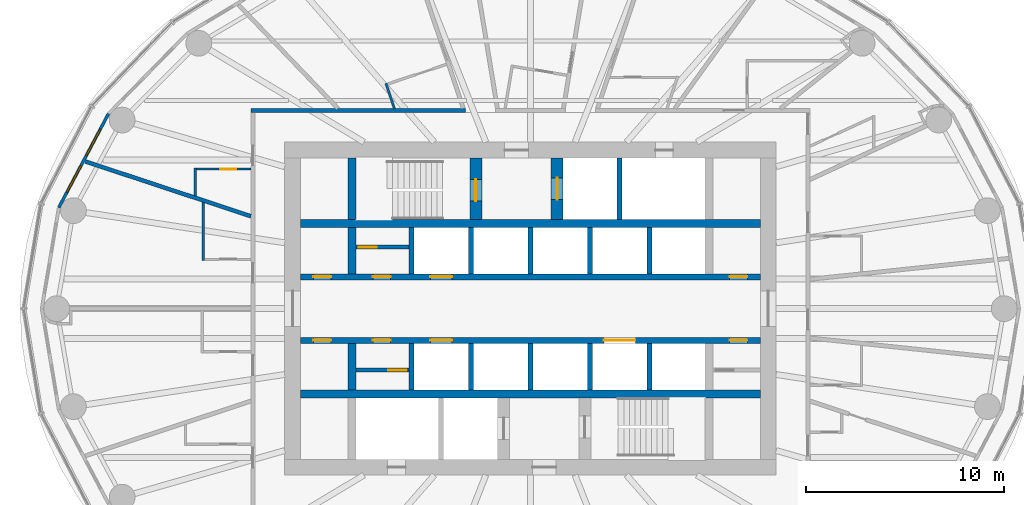
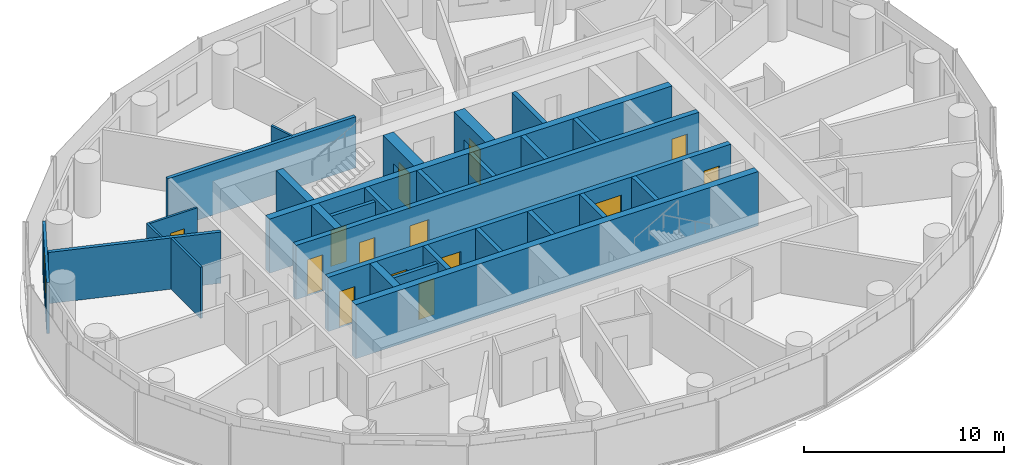
# One storey, part 8 of 13: 29 walls, 14 doors, 2 windows, 16 openings.
"""IFC4 building model written with IfcOpenShell, lengths in metres."""

from ifc_helpers import new_model, si_unit, direction, frame, frame_2d, origin, place, context, subcontext, project, spatial, rectangle, extrude, material, layer, layer_set, type_object, element, fill, save


model = new_model("IFC4")

# Units and contexts
model_context = context("Model", 3, precision=1e-05, world=origin(), true_north=direction((0.0, 1.0)))
body_context = subcontext(model_context, "Body", "Model", "MODEL_VIEW")
ifc_project = project(units=[si_unit("LENGTHUNIT", "METRE"), si_unit("AREAUNIT", "SQUARE_METRE"), si_unit("VOLUMEUNIT", "CUBIC_METRE"), si_unit("PLANEANGLEUNIT", "RADIAN"), si_unit("MASSUNIT", "GRAM", prefix="KILO")], contexts=[model_context])

# Site, building, storey
site_placement = place(None, origin())
site = spatial("IfcSite", under=ifc_project, at=site_placement, CompositionType="ELEMENT")
building_placement = place(site_placement, origin())
building = spatial("IfcBuilding", under=site, at=building_placement, Name="Hankou Lantern Tower", CompositionType="ELEMENT")
storey_placement = place(building_placement, frame((0.0, 0.0, 125.39990234375)))
storey = spatial("IfcBuildingStorey", under=building, at=storey_placement, Name="L32", CompositionType="ELEMENT", Elevation=125.39990234375)

# Walls
ifc_material_1 = material(Name="Concrete C60", Category="concrete")
ifc_layer_1 = layer(ifc_material_1, 0.39990234375)
ifc_layer_set_1 = layer_set([ifc_layer_1], Name="Concrete C60")
wall_type_1 = type_object("IfcWallType", Name="CW4 CORE CROSS WALL 400", PredefinedType="SHEAR", material=ifc_layer_set_1)
for number, where, z_axis, x_axis, name in (
    (1, (-11.60009765625, 4.300048828125, 0.0), (0.0, 0.0, 1.0), (1.0, 0.0, 0.0), "Core band wall north L32"),
    (2, (-11.60009765625, -4.300048828125, 0.0), (0.0, 0.0, 1.0), (1.0, 0.0, 0.0), "Core band wall south L32"),
):
    element("IfcWall", number, at=place(storey_placement, frame(where, z_axis=z_axis, x_axis=x_axis)), inside=storey, type_object=wall_type_1, Name=name, PredefinedType="SHEAR", context=body_context, shape_type="SweptSolid", body=[
        extrude(rectangle(XDim=23.2001953125, YDim=0.39990234375, at=frame_2d((11.60009765625, 0.0))), origin(), (0.0, 0.0, 1.0), 3.300048828125),
    ])
wall_1_placement = place(storey_placement, frame((-9.0, 4.5, 0.0), z_axis=(0.0, 0.0, 1.0), x_axis=(0.0, 1.0, 0.0)))
element("IfcWall", 3, at=wall_1_placement, inside=storey, type_object=wall_type_1, Name="Core strip wall L32", PredefinedType="SHEAR", context=body_context, shape_type="SweptSolid", body=[
    extrude(rectangle(XDim=3.10009765625, YDim=0.39990234375, at=frame_2d((1.550048828125, 0.0))), origin(), (0.0, 0.0, 1.0), 3.300048828125),
])
for number, where, z_axis, x_axis, name in (
    (4, (-9.0, 1.75, 0.0), (0.0, 0.0, 1.0), (0.0, 1.0, 0.0), "Core strip wall L32"),
    (5, (-9.0, -4.10009765625, 0.0), (0.0, 0.0, 1.0), (0.0, 1.0, 0.0), "Core strip wall L32"),
):
    element("IfcWall", number, at=place(storey_placement, frame(where, z_axis=z_axis, x_axis=x_axis)), inside=storey, type_object=wall_type_1, Name=name, PredefinedType="SHEAR", context=body_context, shape_type="SweptSolid", body=[
        extrude(rectangle(XDim=2.35009765625, YDim=0.39990234375, at=frame_2d((1.175048828125, 0.0))), origin(), (0.0, 0.0, 1.0), 3.300048828125),
    ])

# Wall, openings, doors
ifc_material_2 = material(Name="Concrete C60", Category="concrete")
ifc_layer_2 = layer(ifc_material_2, 0.300048828125)
ifc_layer_set_2 = layer_set([ifc_layer_2], Name="Concrete C60")
wall_type_2 = type_object("IfcWallType", Name="CW5 LIFT LOBBY WALL 300", PredefinedType="SHEAR", material=ifc_layer_set_2)
wall_2_placement = place(storey_placement, frame((-11.60009765625, 1.60009765625, 0.0), z_axis=(0.0, 0.0, 1.0), x_axis=(1.0, 0.0, 0.0)))
wall_2 = element("IfcWall", 6, at=wall_2_placement, inside=storey, type_object=wall_type_2, Name="Lift lobby wall north L32", PredefinedType="SHEAR", context=body_context, shape_type="SweptSolid", body=[
    extrude(rectangle(XDim=23.2001953125, YDim=0.300048828125, at=frame_2d((11.60009765625, 0.0))), origin(), (0.0, 0.0, 1.0), 3.300048828125),
])
opening_1_placement = place(wall_2_placement, frame((6.550048828125, 0.0, 0.0)))
opening_1 = element("IfcOpeningElement", 7, at=opening_1_placement, cuts=wall_2, Name="Opening LD1", PredefinedType="OPENING", context=body_context, shape_type="SweptSolid", body=[
    extrude(rectangle(XDim=1.10009765625, YDim=2.199951171875, at=frame_2d((0.550048828125, 1.10009765625))), frame((0.0, 0.159912109375, 0.0), z_axis=(0.0, -1.0, 0.0), x_axis=(1.0, 0.0, 0.0)), (0.0, 0.0, 1.0), 0.320068359375),
])
opening_2_placement = place(wall_2_placement, frame((0.64990234375, 0.0, 0.0)))
opening_2 = element("IfcOpeningElement", 8, at=opening_2_placement, cuts=wall_2, Name="Opening D30", PredefinedType="OPENING", context=body_context, shape_type="SweptSolid", body=[
    extrude(rectangle(XDim=0.89990234375, YDim=2.199951171875, at=frame_2d((0.449951171875, 1.10009765625))), frame((0.0, 0.159912109375, 0.0), z_axis=(0.0, -1.0, 0.0), x_axis=(1.0, 0.0, 0.0)), (0.0, 0.0, 1.0), 0.320068359375),
])
opening_3_placement = place(wall_2_placement, frame((3.64990234375, 0.0, 0.0)))
opening_3 = element("IfcOpeningElement", 9, at=opening_3_placement, cuts=wall_2, Name="Opening D30", PredefinedType="OPENING", context=body_context, shape_type="SweptSolid", body=[
    extrude(rectangle(XDim=0.89990234375, YDim=2.199951171875, at=frame_2d((0.449951171875, 1.10009765625))), frame((0.0, 0.159912109375, 0.0), z_axis=(0.0, -1.0, 0.0), x_axis=(1.0, 0.0, 0.0)), (0.0, 0.0, 1.0), 0.320068359375),
])
opening_4_placement = place(wall_2_placement, frame((21.64990234375, 0.0, 0.0)))
opening_4 = element("IfcOpeningElement", 10, at=opening_4_placement, cuts=wall_2, Name="Opening D30", PredefinedType="OPENING", context=body_context, shape_type="SweptSolid", body=[
    extrude(rectangle(XDim=0.89990234375, YDim=2.199951171875, at=frame_2d((0.449951171875, 1.10009765625))), frame((0.0, 0.159912109375, 0.0), z_axis=(0.0, -1.0, 0.0), x_axis=(1.0, 0.0, 0.0)), (0.0, 0.0, 1.0), 0.320068359375),
])
ifc_material_3 = material(Name="Steel door leaf", Category="steel")
door_type_1 = type_object("IfcDoorType", Name="D30 CORE ROOM DOOR 900X2200", OperationType="SINGLE_SWING_LEFT", PredefinedType="DOOR", material=ifc_material_3)
door_1_placement = place(opening_2_placement, origin())
door_1 = element("IfcDoor", 11, at=door_1_placement, inside=storey, type_object=door_type_1, Name="Engineering store door", OperationType="SINGLE_SWING_LEFT", OverallHeight=2.199951171875, OverallWidth=0.89990234375, PredefinedType="DOOR", context=body_context, shape_type="SweptSolid", body=[
    extrude(rectangle(XDim=0.89990234375, YDim=2.199951171875, at=frame_2d((0.449951171875, 1.10009765625))), frame((0.0, 0.02490234375, 0.0), z_axis=(0.0, -1.0, 0.0), x_axis=(1.0, 0.0, 0.0)), (0.0, 0.0, 1.0), 0.050048828125),
])
fill(opening_2, door_1)
door_2_placement = place(opening_3_placement, origin())
door_2 = element("IfcDoor", 12, at=door_2_placement, inside=storey, type_object=door_type_1, Name="Cleaner's store door", OperationType="SINGLE_SWING_LEFT", OverallHeight=2.199951171875, OverallWidth=0.89990234375, PredefinedType="DOOR", context=body_context, shape_type="SweptSolid", body=[
    extrude(rectangle(XDim=0.89990234375, YDim=2.199951171875, at=frame_2d((0.449951171875, 1.10009765625))), frame((0.0, 0.02490234375, 0.0), z_axis=(0.0, -1.0, 0.0), x_axis=(1.0, 0.0, 0.0)), (0.0, 0.0, 1.0), 0.050048828125),
])
fill(opening_3, door_2)
door_3_placement = place(opening_4_placement, origin())
door_3 = element("IfcDoor", 13, at=door_3_placement, inside=storey, type_object=door_type_1, Name="Housekeeping and linen store door", OperationType="SINGLE_SWING_RIGHT", OverallHeight=2.199951171875, OverallWidth=0.89990234375, PredefinedType="DOOR", context=body_context, shape_type="SweptSolid", body=[
    extrude(rectangle(XDim=0.89990234375, YDim=2.199951171875, at=frame_2d((0.449951171875, 1.10009765625))), frame((0.0, 0.02490234375, 0.0), z_axis=(0.0, -1.0, 0.0), x_axis=(1.0, 0.0, 0.0)), (0.0, 0.0, 1.0), 0.050048828125),
])
fill(opening_4, door_3)
ifc_material_4 = material(Name="Steel door leaf", Category="steel")
door_type_2 = type_object("IfcDoorType", Name="LD1 LIFT LANDING DOOR 1100X2200", OperationType="DOUBLE_DOOR_SLIDING", PredefinedType="DOOR", material=ifc_material_4)
door_4_placement = place(opening_1_placement, origin())
door_4 = element("IfcDoor", 14, at=door_4_placement, inside=storey, type_object=door_type_2, Name="Lift M1 landing door", OperationType="DOUBLE_DOOR_SLIDING", OverallHeight=2.199951171875, OverallWidth=1.10009765625, PredefinedType="DOOR", context=body_context, shape_type="SweptSolid", body=[
    extrude(rectangle(XDim=1.10009765625, YDim=2.199951171875, at=frame_2d((0.550048828125, 1.10009765625))), frame((0.0, 0.02490234375, 0.0), z_axis=(0.0, -1.0, 0.0), x_axis=(1.0, 0.0, 0.0)), (0.0, 0.0, 1.0), 0.050048828125),
])
fill(opening_1, door_4)

wall_3_placement = place(storey_placement, frame((-11.60009765625, -1.60009765625, 0.0), z_axis=(0.0, 0.0, 1.0), x_axis=(1.0, 0.0, 0.0)))
wall_3 = element("IfcWall", 15, at=wall_3_placement, inside=storey, type_object=wall_type_2, Name="Lift lobby wall south L32", PredefinedType="SHEAR", context=body_context, shape_type="SweptSolid", body=[
    extrude(rectangle(XDim=23.2001953125, YDim=0.300048828125, at=frame_2d((11.60009765625, 0.0))), origin(), (0.0, 0.0, 1.0), 3.300048828125),
])
opening_5_placement = place(wall_3_placement, frame((6.550048828125, 0.0, 0.0)))
opening_5 = element("IfcOpeningElement", 16, at=opening_5_placement, cuts=wall_3, Name="Opening LD1", PredefinedType="OPENING", context=body_context, shape_type="SweptSolid", body=[
    extrude(rectangle(XDim=1.10009765625, YDim=2.199951171875, at=frame_2d((0.550048828125, 1.10009765625))), frame((0.0, 0.159912109375, 0.0), z_axis=(0.0, -1.0, 0.0), x_axis=(1.0, 0.0, 0.0)), (0.0, 0.0, 1.0), 0.320068359375),
])
opening_6_placement = place(wall_3_placement, frame((15.300048828125, 0.0, 0.0)))
opening_6 = element("IfcOpeningElement", 17, at=opening_6_placement, cuts=wall_3, Name="Opening LD4", PredefinedType="OPENING", context=body_context, shape_type="SweptSolid", body=[
    extrude(rectangle(XDim=1.60009765625, YDim=2.39990234375, at=frame_2d((0.800048828125, 1.199951171875))), frame((0.0, 0.159912109375, 0.0), z_axis=(0.0, -1.0, 0.0), x_axis=(1.0, 0.0, 0.0)), (0.0, 0.0, 1.0), 0.320068359375),
])
opening_7_placement = place(wall_3_placement, frame((0.64990234375, 0.0, 0.0)))
opening_7 = element("IfcOpeningElement", 18, at=opening_7_placement, cuts=wall_3, Name="Opening D30", PredefinedType="OPENING", context=body_context, shape_type="SweptSolid", body=[
    extrude(rectangle(XDim=0.89990234375, YDim=2.199951171875, at=frame_2d((0.449951171875, 1.10009765625))), frame((0.0, 0.159912109375, 0.0), z_axis=(0.0, -1.0, 0.0), x_axis=(1.0, 0.0, 0.0)), (0.0, 0.0, 1.0), 0.320068359375),
])
opening_8_placement = place(wall_3_placement, frame((3.64990234375, 0.0, 0.0)))
opening_8 = element("IfcOpeningElement", 19, at=opening_8_placement, cuts=wall_3, Name="Opening D30", PredefinedType="OPENING", context=body_context, shape_type="SweptSolid", body=[
    extrude(rectangle(XDim=0.89990234375, YDim=2.199951171875, at=frame_2d((0.449951171875, 1.10009765625))), frame((0.0, 0.159912109375, 0.0), z_axis=(0.0, -1.0, 0.0), x_axis=(1.0, 0.0, 0.0)), (0.0, 0.0, 1.0), 0.320068359375),
])
opening_9_placement = place(wall_3_placement, frame((21.64990234375, 0.0, 0.0)))
opening_9 = element("IfcOpeningElement", 20, at=opening_9_placement, cuts=wall_3, Name="Opening D30", PredefinedType="OPENING", context=body_context, shape_type="SweptSolid", body=[
    extrude(rectangle(XDim=0.89990234375, YDim=2.199951171875, at=frame_2d((0.449951171875, 1.10009765625))), frame((0.0, 0.159912109375, 0.0), z_axis=(0.0, -1.0, 0.0), x_axis=(1.0, 0.0, 0.0)), (0.0, 0.0, 1.0), 0.320068359375),
])
door_5_placement = place(opening_7_placement, origin())
door_5 = element("IfcDoor", 21, at=door_5_placement, inside=storey, type_object=door_type_1, Name="Guest pantry and ice room door", OperationType="SINGLE_SWING_LEFT", OverallHeight=2.199951171875, OverallWidth=0.89990234375, PredefinedType="DOOR", context=body_context, shape_type="SweptSolid", body=[
    extrude(rectangle(XDim=0.89990234375, YDim=2.199951171875, at=frame_2d((0.449951171875, 1.10009765625))), frame((0.0, 0.02490234375, 0.0), z_axis=(0.0, -1.0, 0.0), x_axis=(1.0, 0.0, 0.0)), (0.0, 0.0, 1.0), 0.050048828125),
])
fill(opening_7, door_5)
door_6_placement = place(opening_8_placement, origin())
door_6 = element("IfcDoor", 22, at=door_6_placement, inside=storey, type_object=door_type_1, Name="Vending room door", OperationType="SINGLE_SWING_LEFT", OverallHeight=2.199951171875, OverallWidth=0.89990234375, PredefinedType="DOOR", context=body_context, shape_type="SweptSolid", body=[
    extrude(rectangle(XDim=0.89990234375, YDim=2.199951171875, at=frame_2d((0.449951171875, 1.10009765625))), frame((0.0, 0.02490234375, 0.0), z_axis=(0.0, -1.0, 0.0), x_axis=(1.0, 0.0, 0.0)), (0.0, 0.0, 1.0), 0.050048828125),
])
fill(opening_8, door_6)
door_7_placement = place(opening_9_placement, origin())
door_7 = element("IfcDoor", 23, at=door_7_placement, inside=storey, type_object=door_type_1, Name="Room service pantry door", OperationType="SINGLE_SWING_RIGHT", OverallHeight=2.199951171875, OverallWidth=0.89990234375, PredefinedType="DOOR", context=body_context, shape_type="SweptSolid", body=[
    extrude(rectangle(XDim=0.89990234375, YDim=2.199951171875, at=frame_2d((0.449951171875, 1.10009765625))), frame((0.0, 0.02490234375, 0.0), z_axis=(0.0, -1.0, 0.0), x_axis=(1.0, 0.0, 0.0)), (0.0, 0.0, 1.0), 0.050048828125),
])
fill(opening_9, door_7)
door_8_placement = place(opening_5_placement, origin())
door_8 = element("IfcDoor", 24, at=door_8_placement, inside=storey, type_object=door_type_2, Name="Lift M2 landing door", OperationType="DOUBLE_DOOR_SLIDING", OverallHeight=2.199951171875, OverallWidth=1.10009765625, PredefinedType="DOOR", context=body_context, shape_type="SweptSolid", body=[
    extrude(rectangle(XDim=1.10009765625, YDim=2.199951171875, at=frame_2d((0.550048828125, 1.10009765625))), frame((0.0, 0.02490234375, 0.0), z_axis=(0.0, -1.0, 0.0), x_axis=(1.0, 0.0, 0.0)), (0.0, 0.0, 1.0), 0.050048828125),
])
fill(opening_5, door_8)
ifc_material_5 = material(Name="Steel door leaf", Category="steel")
door_type_3 = type_object("IfcDoorType", Name="LD4 SERVICE LIFT LANDING DOOR 1600X2400", OperationType="DOUBLE_DOOR_SLIDING", PredefinedType="DOOR", material=ifc_material_5)
door_9_placement = place(opening_6_placement, origin())
door_9 = element("IfcDoor", 25, at=door_9_placement, inside=storey, type_object=door_type_3, Name="Lift SV1 landing door", OperationType="DOUBLE_DOOR_SLIDING", OverallHeight=2.39990234375, OverallWidth=1.60009765625, PredefinedType="DOOR", context=body_context, shape_type="SweptSolid", body=[
    extrude(rectangle(XDim=1.60009765625, YDim=2.39990234375, at=frame_2d((0.800048828125, 1.199951171875))), frame((0.0, 0.02490234375, 0.0), z_axis=(0.0, -1.0, 0.0), x_axis=(1.0, 0.0, 0.0)), (0.0, 0.0, 1.0), 0.050048828125),
])
fill(opening_6, door_9)

# Wall, opening, door
ifc_material_6 = material(Name="Concrete C60", Category="concrete")
ifc_layer_3 = layer(ifc_material_6, 0.60009765625)
ifc_layer_set_3 = layer_set([ifc_layer_3], Name="Concrete C60")
wall_type_3 = type_object("IfcWallType", Name="CW6 STAIR AND SHAFT WALL 600", PredefinedType="SHEAR", material=ifc_layer_set_3)
wall_4_placement = place(storey_placement, frame((-2.75, 4.5, 0.0), z_axis=(0.0, 0.0, 1.0), x_axis=(0.0, 1.0, 0.0)))
wall_4 = element("IfcWall", 26, at=wall_4_placement, inside=storey, type_object=wall_type_3, Name="Stair wall L32", PredefinedType="SHEAR", context=body_context, shape_type="SweptSolid", body=[
    extrude(rectangle(XDim=3.10009765625, YDim=0.60009765625, at=frame_2d((1.550048828125, 0.0))), origin(), (0.0, 0.0, 1.0), 3.300048828125),
])
opening_10_placement = place(wall_4_placement, frame((0.925048828125, 0.0, 0.0)))
opening_10 = element("IfcOpeningElement", 27, at=opening_10_placement, cuts=wall_4, Name="Opening D4", PredefinedType="OPENING", context=body_context, shape_type="SweptSolid", body=[
    extrude(rectangle(XDim=1.10009765625, YDim=2.199951171875, at=frame_2d((0.550048828125, 1.10009765625))), frame((0.0, 0.31005859375, 0.0), z_axis=(0.0, -1.0, 0.0), x_axis=(1.0, 0.0, 0.0)), (0.0, 0.0, 1.0), 0.6201171875),
])
ifc_material_7 = material(Name="Steel door leaf", Category="steel")
door_type_4 = type_object("IfcDoorType", Name="D4 STAIR DOOR 1100X2200", OperationType="SINGLE_SWING_LEFT", PredefinedType="DOOR", material=ifc_material_7)
door_10_placement = place(opening_10_placement, origin())
door_10 = element("IfcDoor", 28, at=door_10_placement, inside=storey, type_object=door_type_4, Name="Stair A door", OperationType="SINGLE_SWING_LEFT", OverallHeight=2.199951171875, OverallWidth=1.10009765625, PredefinedType="DOOR", context=body_context, shape_type="SweptSolid", body=[
    extrude(rectangle(XDim=1.10009765625, YDim=2.199951171875, at=frame_2d((0.550048828125, 1.10009765625))), frame((0.0, 0.02490234375, 0.0), z_axis=(0.0, -1.0, 0.0), x_axis=(1.0, 0.0, 0.0)), (0.0, 0.0, 1.0), 0.050048828125),
])
fill(opening_10, door_10)

wall_5_placement = place(storey_placement, frame((1.35009765625, 4.5, 0.0), z_axis=(0.0, 0.0, 1.0), x_axis=(0.0, 1.0, 0.0)))
wall_5 = element("IfcWall", 29, at=wall_5_placement, inside=storey, type_object=wall_type_3, Name="Firefighting lift shaft wall L32", PredefinedType="SHEAR", context=body_context, shape_type="SweptSolid", body=[
    extrude(rectangle(XDim=3.10009765625, YDim=0.60009765625, at=frame_2d((1.550048828125, 0.0))), origin(), (0.0, 0.0, 1.0), 3.300048828125),
])
opening_11_placement = place(wall_5_placement, frame((1.0, 0.0, 0.0)))
opening_11 = element("IfcOpeningElement", 30, at=opening_11_placement, cuts=wall_5, Name="Opening LD2", PredefinedType="OPENING", context=body_context, shape_type="SweptSolid", body=[
    extrude(rectangle(XDim=1.10009765625, YDim=2.199951171875, at=frame_2d((0.550048828125, 1.10009765625))), frame((0.0, 0.31005859375, 0.0), z_axis=(0.0, -1.0, 0.0), x_axis=(1.0, 0.0, 0.0)), (0.0, 0.0, 1.0), 0.6201171875),
])
ifc_material_8 = material(Name="Steel door leaf", Category="steel")
door_type_5 = type_object("IfcDoorType", Name="LD2 FIREFIGHTING LIFT LANDING DOOR 1100X2200", OperationType="DOUBLE_DOOR_SLIDING", PredefinedType="DOOR", material=ifc_material_8)
door_11_placement = place(opening_11_placement, origin())
door_11 = element("IfcDoor", 31, at=door_11_placement, inside=storey, type_object=door_type_5, Name="Firefighting lift FL1 landing door", OperationType="DOUBLE_DOOR_SLIDING", OverallHeight=2.199951171875, OverallWidth=1.10009765625, PredefinedType="DOOR", context=body_context, shape_type="SweptSolid", body=[
    extrude(rectangle(XDim=1.10009765625, YDim=2.199951171875, at=frame_2d((0.550048828125, 1.10009765625))), frame((0.0, 0.02490234375, 0.0), z_axis=(0.0, -1.0, 0.0), x_axis=(1.0, 0.0, 0.0)), (0.0, 0.0, 1.0), 0.050048828125),
])
fill(opening_11, door_11)

# Wall, openings, windows
ifc_material_9 = material(Name="Aluminium spandrel panel on steel studs", Category="steel")
ifc_layer_4 = layer(ifc_material_9, 0.14990234375)
ifc_layer_set_4 = layer_set([ifc_layer_4], Name="Aluminium spandrel panel on steel studs")
wall_type_4 = type_object("IfcWallType", Name="EW1 INNER SKIN WALL 150", PredefinedType="ELEMENTEDWALL", material=ifc_layer_set_4)
wall_6_placement = place(storey_placement, frame((-21.287353515625, 9.83203125, 0.0), z_axis=(0.0, 0.0, 1.0), x_axis=(-0.467814388454, -0.883826735257, 0.0)))
wall_6 = element("IfcWall", 32, at=wall_6_placement, inside=storey, type_object=wall_type_4, Name="Inner skin R11-R12 L32", PredefinedType="ELEMENTEDWALL", context=body_context, shape_type="SweptSolid", body=[
    extrude(rectangle(XDim=5.35400390625, YDim=0.14990234375, at=frame_2d((2.677001953125, 0.0))), origin(), (0.0, 0.0, 1.0), 3.1201171875),
])
opening_12_placement = place(wall_6_placement, frame((0.876953125, 0.0, 0.89990234375)))
opening_12 = element("IfcOpeningElement", 33, at=opening_12_placement, cuts=wall_6, Name="Opening W2", PredefinedType="OPENING", context=body_context, shape_type="SweptSolid", body=[
    extrude(rectangle(XDim=1.5, YDim=1.89990234375, at=frame_2d((0.75, 0.949951171875))), frame((0.0, 0.0849609375, 0.0), z_axis=(0.0, -1.0, 0.0), x_axis=(1.0, 0.0, 0.0)), (0.0, 0.0, 1.0), 0.169921875),
])
opening_13_placement = place(wall_6_placement, frame((2.97705078125, 0.0, 0.89990234375)))
opening_13 = element("IfcOpeningElement", 34, at=opening_13_placement, cuts=wall_6, Name="Opening W2", PredefinedType="OPENING", context=body_context, shape_type="SweptSolid", body=[
    extrude(rectangle(XDim=1.5, YDim=1.89990234375, at=frame_2d((0.75, 0.949951171875))), frame((0.0, 0.0849609375, 0.0), z_axis=(0.0, -1.0, 0.0), x_axis=(1.0, 0.0, 0.0)), (0.0, 0.0, 1.0), 0.169921875),
])
ifc_material_10 = material(Name="Aluminium framed double glazed window", Category="aluminium")
window_type = type_object("IfcWindowType", Name="W2 GUEST ROOM WINDOW 1500X1900", PartitioningType="DOUBLE_PANEL_VERTICAL", PredefinedType="WINDOW", material=ifc_material_10)
window_1_placement = place(opening_12_placement, origin())
window_1 = element("IfcWindow", 35, at=window_1_placement, inside=storey, type_object=window_type, Name="Window R11.1 L32", OverallHeight=1.89990234375, OverallWidth=1.5, PartitioningType="SINGLE_PANEL", PredefinedType="WINDOW", context=body_context, shape_type="SweptSolid", body=[
    extrude(rectangle(XDim=1.5, YDim=1.89990234375, at=frame_2d((0.75, 0.949951171875))), frame((0.0, 0.030029296875, 0.0), z_axis=(0.0, -1.0, 0.0), x_axis=(1.0, 0.0, 0.0)), (0.0, 0.0, 1.0), 0.06005859375),
])
fill(opening_12, window_1)
window_2_placement = place(opening_13_placement, origin())
window_2 = element("IfcWindow", 36, at=window_2_placement, inside=storey, type_object=window_type, Name="Window R11.2 L32", OverallHeight=1.89990234375, OverallWidth=1.5, PartitioningType="SINGLE_PANEL", PredefinedType="WINDOW", context=body_context, shape_type="SweptSolid", body=[
    extrude(rectangle(XDim=1.5, YDim=1.89990234375, at=frame_2d((0.75, 0.949951171875))), frame((0.0, 0.030029296875, 0.0), z_axis=(0.0, -1.0, 0.0), x_axis=(1.0, 0.0, 0.0)), (0.0, 0.0, 1.0), 0.06005859375),
])
fill(opening_13, window_2)

# Walls
ifc_material_11 = material(Name="Masonry lightweight concrete block", Category="masonry")
ifc_layer_5 = layer(ifc_material_11, 0.199951171875)
ifc_layer_set_5 = layer_set([ifc_layer_5], Name="Masonry lightweight concrete block")
wall_type_5 = type_object("IfcWallType", Name="IW1 GUEST ROOM PARTY WALL 200", PredefinedType="PARTITIONING", material=ifc_layer_set_5)
wall_7_placement = place(storey_placement, frame((-14.10009765625, 4.662353515625, 0.0), z_axis=(0.0, 0.0, 1.0), x_axis=(-0.949446466373, 0.313928984789, 0.0)))
element("IfcWall", 37, at=wall_7_placement, inside=storey, type_object=wall_type_5, Name="Party wall R11-R12", PredefinedType="PARTITIONING", context=body_context, shape_type="SweptSolid", body=[
    extrude(rectangle(XDim=8.79736328125, YDim=0.199951171875, at=frame_2d((4.398681640625, 0.0))), origin(), (0.0, 0.0, 1.0), 3.1201171875),
])
ifc_material_12 = material(Name="Masonry lightweight concrete block", Category="masonry")
ifc_layer_6 = layer(ifc_material_12, 0.199951171875)
ifc_layer_set_6 = layer_set([ifc_layer_6], Name="Masonry lightweight concrete block")
wall_type_6 = type_object("IfcWallType", Name="IW2 CORRIDOR WALL 200", PredefinedType="PARTITIONING", material=ifc_layer_set_6)
wall_8_placement = place(storey_placement, frame((-14.10009765625, 10.0, 0.0), z_axis=(0.0, 0.0, 1.0), x_axis=(1.0, 0.0, 0.0)))
element("IfcWall", 38, at=wall_8_placement, inside=storey, type_object=wall_type_6, Name="Corridor wall north", PredefinedType="PARTITIONING", context=body_context, shape_type="SweptSolid", body=[
    extrude(rectangle(XDim=10.817138671875, YDim=0.199951171875, at=frame_2d((5.40869140625, 0.0))), origin(), (0.0, 0.0, 1.0), 3.1201171875),
])
ifc_material_13 = material(Name="Masonry lightweight concrete block", Category="masonry")
ifc_layer_7 = layer(ifc_material_13, 0.1201171875)
ifc_layer_set_7 = layer_set([ifc_layer_7], Name="Masonry lightweight concrete block")
wall_type_7 = type_object("IfcWallType", Name="IW3 BATHROOM WALL 120", PredefinedType="PARTITIONING", material=ifc_layer_set_7)
wall_9_placement = place(storey_placement, frame((-6.852294921875, 10.068359375, 0.0), z_axis=(0.0, 0.0, 1.0), x_axis=(-0.317619240343, 0.948218338867, 0.0)))
element("IfcWall", 39, at=wall_9_placement, inside=storey, type_object=wall_type_7, Name="Box wall 3204 1", PredefinedType="PARTITIONING", context=body_context, shape_type="SweptSolid", body=[
    extrude(rectangle(XDim=1.3681640625, YDim=0.1201171875, at=frame_2d((0.68408203125, 0.0))), origin(), (0.0, 0.0, 1.0), 3.1201171875),
])
wall_10_placement = place(storey_placement, frame((-16.89990234375, 5.688232421875, 0.0), z_axis=(0.0, 0.0, 1.0), x_axis=(0.0, 1.0, 0.0)))
element("IfcWall", 40, at=wall_10_placement, inside=storey, type_object=wall_type_7, Name="Box wall 3205 1", PredefinedType="PARTITIONING", context=body_context, shape_type="SweptSolid", body=[
    extrude(rectangle(XDim=1.4140625, YDim=0.1201171875, at=frame_2d((0.70703125, 0.0))), origin(), (0.0, 0.0, 1.0), 3.1201171875),
])

# Wall, opening, door
wall_11_placement = place(storey_placement, frame((-14.10009765625, 7.042236328125, 0.0), z_axis=(0.0, 0.0, 1.0), x_axis=(-1.0, 0.0, 0.0)))
wall_11 = element("IfcWall", 41, at=wall_11_placement, inside=storey, type_object=wall_type_7, Name="Box wall 3205 1", PredefinedType="PARTITIONING", context=body_context, shape_type="SweptSolid", body=[
    extrude(rectangle(XDim=2.739990234375, YDim=0.1201171875, at=frame_2d((1.3701171875, 0.0))), origin(), (0.0, 0.0, 1.0), 3.1201171875),
])
opening_14_placement = place(wall_11_placement, frame((0.75, 0.0, 0.0)))
opening_14 = element("IfcOpeningElement", 42, at=opening_14_placement, cuts=wall_11, Name="Opening D3", PredefinedType="OPENING", context=body_context, shape_type="SweptSolid", body=[
    extrude(rectangle(XDim=0.800048828125, YDim=2.10009765625, at=frame_2d((0.39990234375, 1.050048828125))), frame((0.0, 0.070068359375, 0.0), z_axis=(0.0, -1.0, 0.0), x_axis=(1.0, 0.0, 0.0)), (0.0, 0.0, 1.0), 0.14013671875),
])
ifc_material_14 = material(Name="Timber door leaf", Category="wood")
door_type_6 = type_object("IfcDoorType", Name="D3 BATHROOM DOOR 800X2100", OperationType="SINGLE_SWING_LEFT", PredefinedType="DOOR", material=ifc_material_14)
door_12_placement = place(opening_14_placement, origin())
door_12 = element("IfcDoor", 43, at=door_12_placement, inside=storey, type_object=door_type_6, Name="Junior suite 3205 bathroom door", OperationType="SINGLE_SWING_LEFT", OverallHeight=2.10009765625, OverallWidth=0.800048828125, PredefinedType="DOOR", context=body_context, shape_type="SweptSolid", body=[
    extrude(rectangle(XDim=0.800048828125, YDim=2.10009765625, at=frame_2d((0.39990234375, 1.050048828125))), frame((0.0, 0.02490234375, 0.0), z_axis=(0.0, -1.0, 0.0), x_axis=(1.0, 0.0, 0.0)), (0.0, 0.0, 1.0), 0.050048828125),
])
fill(opening_14, door_12)

# Wall
wall_12_placement = place(storey_placement, frame((-16.5, 5.35595703125, 0.0), z_axis=(0.0, 0.0, 1.0), x_axis=(0.0, -1.0, 0.0)))
element("IfcWall", 44, at=wall_12_placement, inside=storey, type_object=wall_type_7, Name="Box wall 3206 1", PredefinedType="PARTITIONING", context=body_context, shape_type="SweptSolid", body=[
    extrude(rectangle(XDim=2.93359375, YDim=0.1201171875, at=frame_2d((1.466796875, 0.0))), origin(), (0.0, 0.0, 1.0), 3.1201171875),
])

# Wall, opening, door
ifc_material_15 = material(Name="Masonry lightweight concrete block", Category="masonry")
ifc_layer_8 = layer(ifc_material_15, 0.199951171875)
ifc_layer_set_8 = layer_set([ifc_layer_8], Name="Masonry lightweight concrete block")
wall_type_8 = type_object("IfcWallType", Name="IW8 PARTITION 200", PredefinedType="PARTITIONING", material=ifc_layer_set_8)
wall_13_placement = place(storey_placement, frame((-8.800048828125, 3.10009765625, 0.0), z_axis=(0.0, 0.0, 1.0), x_axis=(1.0, 0.0, 0.0)))
wall_13 = element("IfcWall", 45, at=wall_13_placement, inside=storey, type_object=wall_type_8, Name="Partition cleaner's store", PredefinedType="PARTITIONING", context=body_context, shape_type="SweptSolid", body=[
    extrude(rectangle(XDim=2.675048828125, YDim=0.199951171875, at=frame_2d((1.33740234375, 0.0))), origin(), (0.0, 0.0, 1.0), 3.1201171875),
])
opening_15_placement = place(wall_13_placement, frame((0.14990234375, 0.0, 0.0)))
opening_15 = element("IfcOpeningElement", 46, at=opening_15_placement, cuts=wall_13, Name="Opening D12", PredefinedType="OPENING", context=body_context, shape_type="SweptSolid", body=[
    extrude(rectangle(XDim=0.89990234375, YDim=2.199951171875, at=frame_2d((0.449951171875, 1.10009765625))), frame((0.0, 0.10986328125, 0.0), z_axis=(0.0, -1.0, 0.0), x_axis=(1.0, 0.0, 0.0)), (0.0, 0.0, 1.0), 0.219970703125),
])
ifc_material_16 = material(Name="Steel door leaf", Category="steel")
door_type_7 = type_object("IfcDoorType", Name="D12 STORE DOOR 900X2200", OperationType="SINGLE_SWING_LEFT", PredefinedType="DOOR", material=ifc_material_16)
door_13_placement = place(opening_15_placement, origin())
door_13 = element("IfcDoor", 47, at=door_13_placement, inside=storey, type_object=door_type_7, Name="Cleaning materials cupboard door", OperationType="SINGLE_SWING_LEFT", OverallHeight=2.199951171875, OverallWidth=0.89990234375, PredefinedType="DOOR", context=body_context, shape_type="SweptSolid", body=[
    extrude(rectangle(XDim=0.89990234375, YDim=2.199951171875, at=frame_2d((0.449951171875, 1.10009765625))), frame((0.0, 0.02490234375, 0.0), z_axis=(0.0, -1.0, 0.0), x_axis=(1.0, 0.0, 0.0)), (0.0, 0.0, 1.0), 0.050048828125),
])
fill(opening_15, door_13)

wall_14_placement = place(storey_placement, frame((-8.800048828125, -3.10009765625, 0.0), z_axis=(0.0, 0.0, 1.0), x_axis=(1.0, 0.0, 0.0)))
wall_14 = element("IfcWall", 48, at=wall_14_placement, inside=storey, type_object=wall_type_8, Name="Partition vending room", PredefinedType="PARTITIONING", context=body_context, shape_type="SweptSolid", body=[
    extrude(rectangle(XDim=2.675048828125, YDim=0.199951171875, at=frame_2d((1.33740234375, 0.0))), origin(), (0.0, 0.0, 1.0), 3.1201171875),
])
opening_16_placement = place(wall_14_placement, frame((1.625, 0.0, 0.0)))
opening_16 = element("IfcOpeningElement", 49, at=opening_16_placement, cuts=wall_14, Name="Opening D12", PredefinedType="OPENING", context=body_context, shape_type="SweptSolid", body=[
    extrude(rectangle(XDim=0.89990234375, YDim=2.199951171875, at=frame_2d((0.449951171875, 1.10009765625))), frame((0.0, 0.10986328125, 0.0), z_axis=(0.0, -1.0, 0.0), x_axis=(1.0, 0.0, 0.0)), (0.0, 0.0, 1.0), 0.219970703125),
])
door_14_placement = place(opening_16_placement, origin())
door_14 = element("IfcDoor", 50, at=door_14_placement, inside=storey, type_object=door_type_7, Name="Vending stock cupboard door", OperationType="SINGLE_SWING_RIGHT", OverallHeight=2.199951171875, OverallWidth=0.89990234375, PredefinedType="DOOR", context=body_context, shape_type="SweptSolid", body=[
    extrude(rectangle(XDim=0.89990234375, YDim=2.199951171875, at=frame_2d((0.449951171875, 1.10009765625))), frame((0.0, 0.02490234375, 0.0), z_axis=(0.0, -1.0, 0.0), x_axis=(1.0, 0.0, 0.0)), (0.0, 0.0, 1.0), 0.050048828125),
])
fill(opening_16, door_14)

# Walls
ifc_material_17 = material(Name="Masonry autoclaved aerated concrete block", Category="masonry")
ifc_layer_9 = layer(ifc_material_17, 0.25)
ifc_layer_set_9 = layer_set([ifc_layer_9], Name="Masonry autoclaved aerated concrete block")
wall_type_9 = type_object("IfcWallType", Name="SW1 SHAFT BLOCK WALL 250", PredefinedType="PARTITIONING", material=ifc_layer_set_9)
wall_15_placement = place(storey_placement, frame((4.5, 4.5, 0.0), z_axis=(0.0, 0.0, 1.0), x_axis=(0.0, 1.0, 0.0)))
element("IfcWall", 51, at=wall_15_placement, inside=storey, type_object=wall_type_9, Name="Riser wall L32", PredefinedType="PARTITIONING", context=body_context, shape_type="SweptSolid", body=[
    extrude(rectangle(XDim=3.10009765625, YDim=0.25, at=frame_2d((1.550048828125, 0.0))), origin(), (0.0, 0.0, 1.0), 3.300048828125),
])
for number, where, z_axis, x_axis, name in (
    (52, (-6.0, 1.75, 0.0), (0.0, 0.0, 1.0), (0.0, 1.0, 0.0), "Lift shaft wall L32"),
    (53, (-3.0, 1.75, 0.0), (0.0, 0.0, 1.0), (0.0, 1.0, 0.0), "Lift shaft wall L32"),
    (54, (0.0, 1.75, 0.0), (0.0, 0.0, 1.0), (0.0, 1.0, 0.0), "Lift shaft wall L32"),
    (55, (3.0, 1.75, 0.0), (0.0, 0.0, 1.0), (0.0, 1.0, 0.0), "Lift shaft wall L32"),
    (56, (6.0, 1.75, 0.0), (0.0, 0.0, 1.0), (0.0, 1.0, 0.0), "Lift shaft wall L32"),
    (57, (-6.0, -4.10009765625, 0.0), (0.0, 0.0, 1.0), (0.0, 1.0, 0.0), "Lift shaft wall L32"),
    (58, (-3.0, -4.10009765625, 0.0), (0.0, 0.0, 1.0), (0.0, 1.0, 0.0), "Lift shaft wall L32"),
    (59, (0.0, -4.10009765625, 0.0), (0.0, 0.0, 1.0), (0.0, 1.0, 0.0), "Lift shaft wall L32"),
    (60, (3.0, -4.10009765625, 0.0), (0.0, 0.0, 1.0), (0.0, 1.0, 0.0), "Lift shaft wall L32"),
    (61, (6.0, -4.10009765625, 0.0), (0.0, 0.0, 1.0), (0.0, 1.0, 0.0), "Lift shaft wall L32"),
):
    element("IfcWall", number, at=place(storey_placement, frame(where, z_axis=z_axis, x_axis=x_axis)), inside=storey, type_object=wall_type_9, Name=name, PredefinedType="PARTITIONING", context=body_context, shape_type="SweptSolid", body=[
        extrude(rectangle(XDim=2.35009765625, YDim=0.25, at=frame_2d((1.175048828125, 0.0))), origin(), (0.0, 0.0, 1.0), 3.300048828125),
    ])

save(model, "model.ifc")
